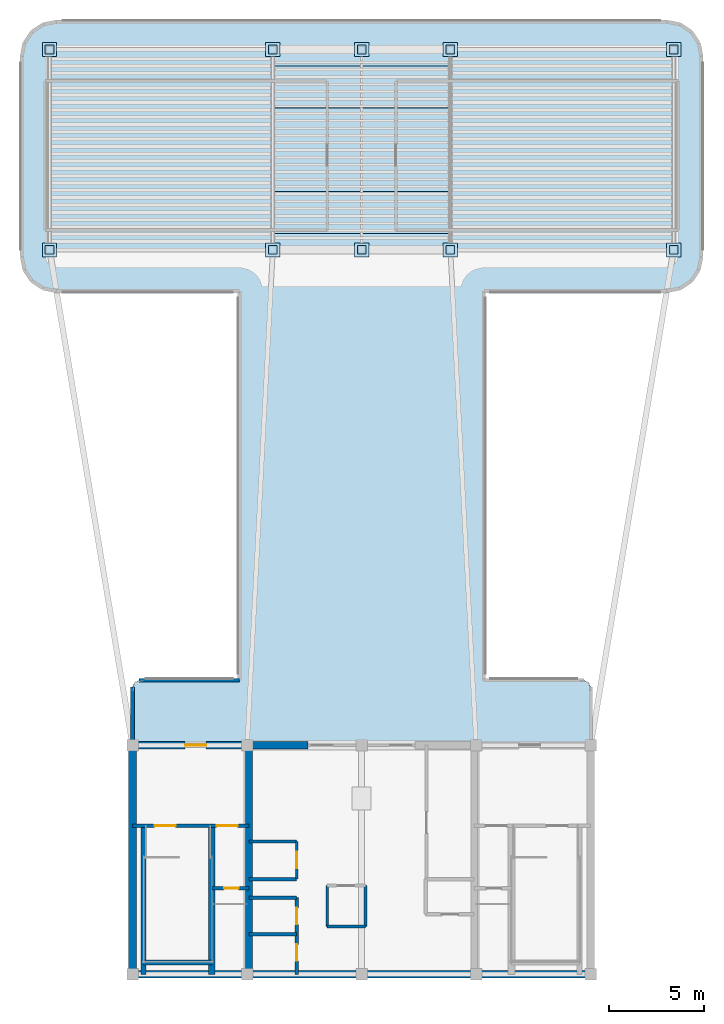
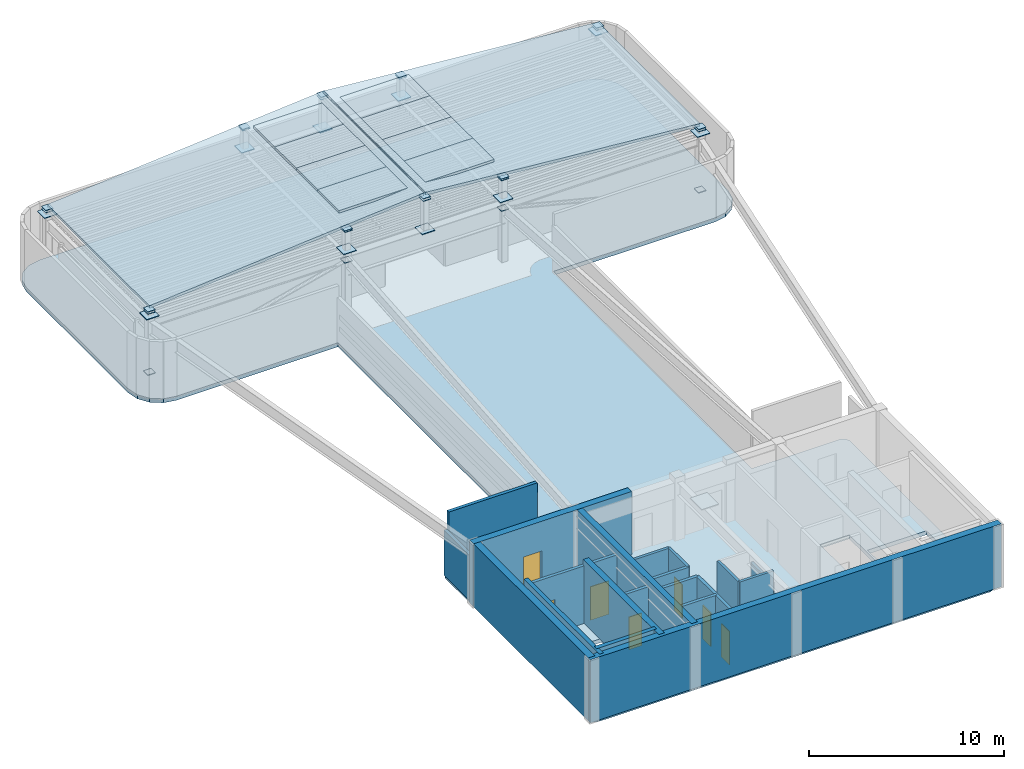
# One storey, part 4 of 7: 42 plates, 20 walls, 7 doors, 3 slabs, 7 openings.
"""IFC4 building model written with IfcOpenShell, lengths in metres."""

from ifc_helpers import new_model, si_unit, direction, frame, frame_2d, origin, origin_2d, place, context, subcontext, project, spatial, polyline, rectangle, outline, extrude, source, transform, mapped, material, layer, layer_set, type_object, element, fill, save


model = new_model("IFC4")

# Units and contexts
model_context = context("Model", 3, precision=1e-05, world=origin(), true_north=direction((0.0, 1.0)))
body_context = subcontext(model_context, "Body", "Model", "MODEL_VIEW")
ifc_project = project(units=[si_unit("LENGTHUNIT", "METRE"), si_unit("AREAUNIT", "SQUARE_METRE"), si_unit("VOLUMEUNIT", "CUBIC_METRE"), si_unit("PLANEANGLEUNIT", "RADIAN"), si_unit("MASSUNIT", "GRAM", prefix="KILO")], contexts=[model_context])

# Site, building, storey
site_placement = place(None, origin())
site = spatial("IfcSite", under=ifc_project, at=site_placement, CompositionType="ELEMENT")
building_placement = place(site_placement, origin())
building = spatial("IfcBuilding", under=site, at=building_placement, Name="Brelvock Crest Care Tower", CompositionType="ELEMENT")
storey_placement = place(building_placement, frame((0.0, 0.0, 315.719970703125)))
storey = spatial("IfcBuildingStorey", under=building, at=storey_placement, Name="L80", CompositionType="ELEMENT", Elevation=315.719970703125)

# Slabs
ifc_material_1 = material(Name="Precast concrete N40 (40 MPa)", Category="concrete")
ifc_layer_1 = layer(ifc_material_1, 0.179931640625, Name="SLB-CN1")
ifc_layer_set_1 = layer_set([ifc_layer_1], Name="Precast concrete N40 (40 MPa)")
slab_type_1 = type_object("IfcSlabType", Name="SLB-CN1", PredefinedType="ROOF", material=ifc_layer_set_1)
for number, where, z_axis, x_axis, name in (
    (1, (19.64990234375, 43.949951171875, 4.5), (-0.084368232562, 0.0, 0.996434644788), (0.996434644788, 0.0, 0.084368232562), "L80 Crown Canopy West Roof"),
    (2, (36.050048828125, 43.949951171875, 5.880126953125), (0.084368232562, 0.0, 0.996434644788), (0.996434644788, 0.0, -0.084368232562), "L80 Crown Canopy East Roof"),
):
    element("IfcSlab", number, at=place(storey_placement, frame(where, z_axis=z_axis, x_axis=x_axis)), inside=storey, type_object=slab_type_1, Name=name, PredefinedType="ROOF", context=body_context, shape_type="SweptSolid", body=[
        extrude(outline(polyline([(0.0, 0.0), (16.358372235830842, 0.0), (16.358372235830842, 10.5), (0.0, 10.5), (0.0, 0.0)])), origin(), (0.0, 0.0, -1.0), 0.179931640625),
    ])
ifc_material_2 = material(Name="Concrete N50 (50 MPa)", Category="concrete")
ifc_layer_2 = layer(ifc_material_2, 0.25, Name="SLB-FL3")
ifc_layer_set_2 = layer_set([ifc_layer_2], Name="Concrete N50 (50 MPa)")
slab_type_2 = type_object("IfcSlabType", Name="SLB-FL3", PredefinedType="FLOOR", material=ifc_layer_set_2)
slab_placement = place(storey_placement, frame((0.0, 0.0, -0.25)))
element("IfcSlab", 3, at=slab_placement, inside=storey, type_object=slab_type_2, Name="L80 Main Structural Slab", PredefinedType="FLOOR", context=body_context, shape_type="SweptSolid", body=[
    extrude(outline(polyline([(42.39990234375, 21.39990234375), (42.39990234375, 41.800048828125), (52.0, 41.800048828125), (52.688720703125, 41.93701171875), (53.272705078125, 42.3271484375), (53.6630859375, 42.9111328125), (53.800048828125, 43.60009765625), (53.800048828125, 54.10009765625), (53.6630859375, 54.788818359375), (53.272705078125, 55.372802734375), (52.688720703125, 55.762939453125), (52.0, 55.89990234375), (20.0, 55.89990234375), (19.311279296875, 55.762939453125), (18.727294921875, 55.372802734375), (18.3369140625, 54.788818359375), (18.199951171875, 54.10009765625), (18.199951171875, 43.60009765625), (18.3369140625, 42.9111328125), (18.727294921875, 42.3271484375), (19.311279296875, 41.93701171875), (20.0, 41.800048828125), (29.60009765625, 41.800048828125), (29.60009765625, 21.39990234375), (24.35009765625, 21.39990234375), (24.1025390625, 21.297607421875), (24.0, 21.050048828125), (24.0, 6.35009765625), (24.1025390625, 6.1025390625), (24.35009765625, 6.0), (47.64990234375, 6.0), (47.8974609375, 6.1025390625), (48.0, 6.35009765625), (48.0, 21.050048828125), (47.8974609375, 21.297607421875), (47.64990234375, 21.39990234375), (42.39990234375, 21.39990234375)]), holes=[polyline([(28.239990234375, 10.580078125), (29.97998046875, 10.580078125), (29.97998046875, 13.739990234375), (28.239990234375, 13.739990234375), (28.239990234375, 10.580078125)]), polyline([(42.02001953125, 10.580078125), (43.760009765625, 10.580078125), (43.760009765625, 13.739990234375), (42.02001953125, 13.739990234375), (42.02001953125, 10.580078125)]), polyline([(28.239990234375, 6.340087890625), (29.97998046875, 6.340087890625), (29.97998046875, 9.64990234375), (28.239990234375, 9.64990234375), (28.239990234375, 6.340087890625)]), polyline([(24.6298828125, 12.080078125), (24.6298828125, 6.699951171875), (28.110107421875, 6.699951171875), (28.110107421875, 12.080078125), (24.6298828125, 12.080078125)]), polyline([(43.889892578125, 12.080078125), (43.889892578125, 6.699951171875), (47.3701171875, 6.699951171875), (47.3701171875, 12.080078125), (43.889892578125, 12.080078125)]), polyline([(42.02001953125, 6.340087890625), (43.760009765625, 6.340087890625), (43.760009765625, 9.64990234375), (42.02001953125, 9.64990234375), (42.02001953125, 6.340087890625)])]), origin(), (0.0, 0.0, 1.0), 0.25),
])

# Plates
ifc_material_3 = material(Name="Steel Grade 350", Category="steel")
plate_type_1 = type_object("IfcPlateType", Name="PLT-EC3", PredefinedType="USERDEFINED", material=ifc_material_3)
shared_shape_1 = source(origin(), body_context, "Body", "SweptSolid", [
    extrude(rectangle(XDim=0.449951171875, YDim=0.449951171875, at=origin_2d()), origin(), (0.0, 0.0, 1.0), 0.02490234375),
])
for number, where, z_axis, x_axis, name in (
    (4, (19.64990234375, 43.949951171875, 0.337646484375), (0.0, 0.0, 1.0), (1.0, 0.0, 0.0), "PLT-CANSTC1-L80-W"),
    (5, (31.35009765625, 43.949951171875, 3.277587890625), (0.0, 0.0, 1.0), (1.0, 0.0, 0.0), "PLT-CANSTC2-L80-W"),
    (6, (52.35009765625, 43.949951171875, 0.337646484375), (0.0, 0.0, 1.0), (1.0, 0.0, 0.0), "PLT-CANSTC1-L80-E"),
    (7, (40.64990234375, 43.949951171875, 3.277587890625), (0.0, 0.0, 1.0), (1.0, 0.0, 0.0), "PLT-CANSTC2-L80-E"),
    (8, (19.64990234375, 43.949951171875, 4.301513671875), (0.0, 0.0, 1.0), (1.0, 0.0, 0.0), "PLT-CBPT-01"),
    (9, (19.64990234375, 54.449951171875, 4.301513671875), (0.0, 0.0, 1.0), (1.0, 0.0, 0.0), "PLT-CBPT-02"),
    (10, (52.35009765625, 43.949951171875, 4.301513671875), (0.0, 0.0, 1.0), (1.0, 0.0, 0.0), "PLT-CBPT-03"),
    (11, (52.35009765625, 54.449951171875, 4.301513671875), (0.0, 0.0, 1.0), (1.0, 0.0, 0.0), "PLT-CBPT-04"),
    (12, (31.35009765625, 43.949951171875, 5.292236328125), (0.0, 0.0, 1.0), (1.0, 0.0, 0.0), "PLT-CBPT-05"),
    (13, (40.64990234375, 43.949951171875, 5.292236328125), (0.0, 0.0, 1.0), (1.0, 0.0, 0.0), "PLT-CBPT-06"),
    (14, (31.35009765625, 54.449951171875, 5.292236328125), (0.0, 0.0, 1.0), (1.0, 0.0, 0.0), "PLT-CBPT-07"),
    (15, (40.64990234375, 54.449951171875, 5.292236328125), (0.0, 0.0, 1.0), (1.0, 0.0, 0.0), "PLT-CBPT-08"),
    (16, (36.0, 43.949951171875, 5.681640625), (0.0, 0.0, 1.0), (1.0, 0.0, 0.0), "PLT-CBPT-09"),
    (17, (36.0, 54.449951171875, 5.681640625), (0.0, 0.0, 1.0), (1.0, 0.0, 0.0), "PLT-CBPT-10"),
    (18, (19.64990234375, 43.949951171875, 4.16162109375), (0.0, 0.0, 1.0), (1.0, 0.0, 0.0), "PLT-CAP-PURL-01"),
    (19, (19.64990234375, 54.449951171875, 4.16162109375), (0.0, 0.0, 1.0), (1.0, 0.0, 0.0), "PLT-CAP-PURLE-01"),
    (20, (31.35009765625, 43.949951171875, 5.2021484375), (0.0, 0.0, 1.0), (1.0, 0.0, 0.0), "PLT-CAP-PURL-02"),
    (21, (31.35009765625, 54.449951171875, 5.2021484375), (0.0, 0.0, 1.0), (1.0, 0.0, 0.0), "PLT-CAP-PURLE-02"),
    (22, (36.0, 43.949951171875, 5.527587890625), (0.0, 0.0, 1.0), (1.0, 0.0, 0.0), "PLT-CAP-PURL-03"),
    (23, (36.0, 54.449951171875, 5.527587890625), (0.0, 0.0, 1.0), (1.0, 0.0, 0.0), "PLT-CAP-PURLE-03"),
    (24, (40.64990234375, 43.949951171875, 5.193115234375), (0.0, 0.0, 1.0), (1.0, 0.0, 0.0), "PLT-CAP-PURL-04"),
    (25, (40.64990234375, 54.449951171875, 5.193115234375), (0.0, 0.0, 1.0), (1.0, 0.0, 0.0), "PLT-CAP-PURLE-04"),
    (26, (52.35009765625, 43.949951171875, 4.16162109375), (0.0, 0.0, 1.0), (1.0, 0.0, 0.0), "PLT-CAP-PURL-05"),
    (27, (52.35009765625, 54.449951171875, 4.16162109375), (0.0, 0.0, 1.0), (1.0, 0.0, 0.0), "PLT-CAP-PURLE-05"),
):
    element("IfcPlate", number, at=place(storey_placement, frame(where, z_axis=z_axis, x_axis=x_axis)), inside=storey, type_object=plate_type_1, Name=name, ObjectType="FLANGE_PLATE", PredefinedType="USERDEFINED", context=body_context, shape_type="MappedRepresentation", body=[
        mapped(shared_shape_1, transform((0.0, 0.0, 0.0), x_axis=(1.0, 0.0, 0.0), y_axis=(0.0, 1.0, 0.0), z_axis=(0.0, 0.0, 1.0), scale=1.0)),
    ])
plate_type_2 = type_object("IfcPlateType", Name="PLT-CBP1", PredefinedType="USERDEFINED", material=ifc_material_3)
shared_shape_2 = source(origin(), body_context, "Body", "SweptSolid", [
    extrude(rectangle(XDim=0.75, YDim=0.75, at=origin_2d()), origin(), (0.0, 0.0, 1.0), 0.0400390625),
])
for number, where, z_axis, x_axis, name in (
    (28, (19.64990234375, 43.949951171875, 3.949951171875), (0.0, 0.0, 1.0), (1.0, 0.0, 0.0), "PLT-CBP-01"),
    (29, (19.64990234375, 54.449951171875, 3.949951171875), (0.0, 0.0, 1.0), (1.0, 0.0, 0.0), "PLT-CBP-02"),
    (30, (52.35009765625, 43.949951171875, 3.949951171875), (0.0, 0.0, 1.0), (1.0, 0.0, 0.0), "PLT-CBP-03"),
    (31, (52.35009765625, 54.449951171875, 3.949951171875), (0.0, 0.0, 1.0), (1.0, 0.0, 0.0), "PLT-CBP-04"),
    (32, (31.35009765625, 43.949951171875, 3.949951171875), (0.0, 0.0, 1.0), (1.0, 0.0, 0.0), "PLT-CBP-05"),
    (33, (40.64990234375, 43.949951171875, 3.949951171875), (0.0, 0.0, 1.0), (1.0, 0.0, 0.0), "PLT-CBP-06"),
    (34, (31.35009765625, 54.449951171875, 3.949951171875), (0.0, 0.0, 1.0), (1.0, 0.0, 0.0), "PLT-CBP-07"),
    (35, (40.64990234375, 54.449951171875, 3.949951171875), (0.0, 0.0, 1.0), (1.0, 0.0, 0.0), "PLT-CBP-08"),
    (36, (36.0, 43.949951171875, 3.580078125), (0.0, 0.0, 1.0), (1.0, 0.0, 0.0), "PLT-CBP-09"),
    (37, (36.0, 54.449951171875, 3.580078125), (0.0, 0.0, 1.0), (1.0, 0.0, 0.0), "PLT-CBP-10"),
):
    element("IfcPlate", number, at=place(storey_placement, frame(where, z_axis=z_axis, x_axis=x_axis)), inside=storey, type_object=plate_type_2, Name=name, ObjectType="FLANGE_PLATE", PredefinedType="USERDEFINED", context=body_context, shape_type="MappedRepresentation", body=[
        mapped(shared_shape_2, transform((0.0, 0.0, 0.0), x_axis=(1.0, 0.0, 0.0), y_axis=(0.0, 1.0, 0.0), z_axis=(0.0, 0.0, 1.0), scale=1.0)),
    ])
ifc_material_4 = material(Name="Dark Glass Double Glazed Low-E", Category="glass")
plate_type_3 = type_object("IfcPlateType", Name="PLT-SKY1", PredefinedType="USERDEFINED", material=ifc_material_4)
shared_shape_3 = source(origin(), body_context, "Body", "SweptSolid", [
    extrude(rectangle(XDim=4.60009765625, YDim=2.199951171875, at=origin_2d()), origin(), (0.0, 0.0, 1.0), 0.159912109375),
])
for number, where, z_axis, x_axis, name in (
    (38, (33.699951171875, 45.89990234375, 5.68017578125), (0.0, 0.0, 1.0), (1.0, 0.0, 0.0), "L80 Canopy Skylight Panel W1"),
    (39, (38.300048828125, 45.89990234375, 5.68017578125), (0.0, 0.0, 1.0), (1.0, 0.0, 0.0), "L80 Canopy Skylight Panel E1"),
    (40, (33.699951171875, 48.10009765625, 5.68017578125), (0.0, 0.0, 1.0), (1.0, 0.0, 0.0), "L80 Canopy Skylight Panel W2"),
    (41, (38.300048828125, 48.10009765625, 5.68017578125), (0.0, 0.0, 1.0), (1.0, 0.0, 0.0), "L80 Canopy Skylight Panel E2"),
    (42, (33.699951171875, 50.300048828125, 5.68017578125), (0.0, 0.0, 1.0), (1.0, 0.0, 0.0), "L80 Canopy Skylight Panel W3"),
    (43, (38.300048828125, 50.300048828125, 5.68017578125), (0.0, 0.0, 1.0), (1.0, 0.0, 0.0), "L80 Canopy Skylight Panel E3"),
    (44, (33.699951171875, 52.5, 5.68017578125), (0.0, 0.0, 1.0), (1.0, 0.0, 0.0), "L80 Canopy Skylight Panel W4"),
    (45, (38.300048828125, 52.5, 5.68017578125), (0.0, 0.0, 1.0), (1.0, 0.0, 0.0), "L80 Canopy Skylight Panel E4"),
):
    element("IfcPlate", number, at=place(storey_placement, frame(where, z_axis=z_axis, x_axis=x_axis)), inside=storey, type_object=plate_type_3, Name=name, ObjectType="SKYLIGHT", PredefinedType="USERDEFINED", context=body_context, shape_type="MappedRepresentation", body=[
        mapped(shared_shape_3, transform((0.0, 0.0, 0.0), x_axis=(1.0, 0.0, 0.0), y_axis=(0.0, 1.0, 0.0), z_axis=(0.0, 0.0, 1.0), scale=1.0)),
    ])

# Walls
ifc_material_5 = material(Name="Concrete S65 (65 MPa)", Category="concrete")
ifc_layer_3 = layer(ifc_material_5, 0.39990234375, Name="WL-CS4")
ifc_layer_set_3 = layer_set([ifc_layer_3], Name="Concrete S65 (65 MPa)")
wall_type_1 = type_object("IfcWallType", Name="WL-CS4", PredefinedType="SHEAR", material=ifc_layer_set_3)
wall_1_placement = place(storey_placement, frame((48.199951171875, 6.0, 0.0), z_axis=(0.0, 0.0, 1.0), x_axis=(-1.0, 0.0, 0.0)))
element("IfcWall", 46, at=wall_1_placement, inside=storey, type_object=wall_type_1, Name="L80 Core South Shear Wall", PredefinedType="SHEAR", context=body_context, shape_type="SweptSolid", body=[
    extrude(rectangle(XDim=24.39990234375, YDim=0.39990234375, at=frame_2d((12.199951171875, 0.0))), origin(), (0.0, 0.0, 1.0), 3.9599609375),
])
wall_2_placement = place(storey_placement, frame((24.0, 6.0, 0.0), z_axis=(0.0, 0.0, 1.0), x_axis=(0.0, 1.0, 0.0)))
element("IfcWall", 47, at=wall_2_placement, inside=storey, type_object=wall_type_1, Name="L80 Core West Shear Wall", PredefinedType="SHEAR", context=body_context, shape_type="SweptSolid", body=[
    extrude(rectangle(XDim=12.0, YDim=0.39990234375, at=frame_2d((6.0, 0.0))), origin(), (0.0, 0.0, 1.0), 3.9599609375),
])

# Wall, opening, door
wall_3_placement = place(storey_placement, frame((23.800048828125, 18.0, 0.0), z_axis=(0.0, 0.0, 1.0), x_axis=(1.0, 0.0, 0.0)))
wall_3 = element("IfcWall", 48, at=wall_3_placement, inside=storey, type_object=wall_type_1, Name="L80 Core North-West Shear Wall", PredefinedType="SHEAR", context=body_context, shape_type="SweptSolid", body=[
    extrude(rectangle(XDim=9.39990234375, YDim=0.39990234375, at=frame_2d((4.699951171875, 0.0))), origin(), (0.0, 0.0, 1.0), 3.9599609375),
])
opening_1_placement = place(wall_3_placement, frame((2.949951171875, 0.0, 0.0)))
opening_1 = element("IfcOpeningElement", 49, at=opening_1_placement, cuts=wall_3, Name="Opening FD-1", PredefinedType="OPENING", context=body_context, shape_type="SweptSolid", body=[
    extrude(rectangle(XDim=1.10009765625, YDim=2.10009765625, at=origin_2d()), frame((0.550048828125, 0.2099609375, 1.050048828125), z_axis=(0.0, -1.0, 0.0), x_axis=(1.0, 0.0, 0.0)), (0.0, 0.0, 1.0), 0.419921875),
])
door_type_1 = type_object("IfcDoorType", Name="DR-FFL1", OperationType="NOTDEFINED", PredefinedType="DOOR", material=ifc_material_3)
shared_shape_4 = source(origin(), body_context, "Body", "SweptSolid", [
    extrude(rectangle(XDim=1.10009765625, YDim=2.10009765625, at=origin_2d()), frame((0.550048828125, 0.02490234375, 1.050048828125), z_axis=(0.0, -1.0, 0.0), x_axis=(1.0, 0.0, 0.0)), (0.0, 0.0, 1.0), 0.050048828125),
])
door_1_placement = place(opening_1_placement, origin())
door_1 = element("IfcDoor", 50, at=door_1_placement, inside=storey, type_object=door_type_1, Name="L80 Firefighting Lobby FFL-1 Exit Door", OperationType="SINGLE_SWING_LEFT", OverallHeight=2.10009765625, OverallWidth=1.10009765625, PredefinedType="DOOR", context=body_context, shape_type="MappedRepresentation", body=[
    mapped(shared_shape_4, transform((0.0, 0.0, 0.0), x_axis=(1.0, 0.0, 0.0), y_axis=(0.0, 1.0, 0.0), z_axis=(0.0, 0.0, 1.0), scale=1.0)),
])
fill(opening_1, door_1)

# Walls
ifc_material_6 = material(Name="Concrete S80 (80 MPa)", Category="concrete")
ifc_layer_4 = layer(ifc_material_6, 0.35009765625, Name="WL-CS5")
ifc_layer_set_4 = layer_set([ifc_layer_4], Name="Concrete S80 (80 MPa)")
wall_type_2 = type_object("IfcWallType", Name="WL-CS5", PredefinedType="SHEAR", material=ifc_layer_set_4)
wall_4_placement = place(storey_placement, frame((30.10009765625, 6.0, 0.0), z_axis=(0.0, 0.0, 1.0), x_axis=(0.0, 1.0, 0.0)))
element("IfcWall", 51, at=wall_4_placement, inside=storey, type_object=wall_type_2, Name="L80 Core Internal Web Wall West", PredefinedType="SHEAR", context=body_context, shape_type="SweptSolid", body=[
    extrude(rectangle(XDim=12.0, YDim=0.35009765625, at=frame_2d((6.0, 0.0))), origin(), (0.0, 0.0, 1.0), 3.9599609375),
])
wall_5_placement = place(storey_placement, frame((28.14990234375, 6.0, 0.0), z_axis=(0.0, 0.0, 1.0), x_axis=(0.0, 1.0, 0.0)))
element("IfcWall", 52, at=wall_5_placement, inside=storey, type_object=wall_type_2, Name="L80 Core Stair ST-1 East Shear Wall", PredefinedType="SHEAR", context=body_context, shape_type="SweptSolid", body=[
    extrude(rectangle(XDim=7.780029296875, YDim=0.35009765625, at=frame_2d((3.89013671875, 0.0))), origin(), (0.0, 0.0, 1.0), 3.9599609375),
])
ifc_layer_5 = layer(ifc_material_6, 0.25, Name="WL-CS6")
ifc_layer_set_5 = layer_set([ifc_layer_5], Name="Concrete S80 (80 MPa)")
wall_type_3 = type_object("IfcWallType", Name="WL-CS6", PredefinedType="SHEAR", material=ifc_layer_set_5)
wall_6_placement = place(storey_placement, frame((24.580078125, 6.0, 0.0), z_axis=(0.0, 0.0, 1.0), x_axis=(0.0, 1.0, 0.0)))
element("IfcWall", 53, at=wall_6_placement, inside=storey, type_object=wall_type_3, Name="L80 Core Stair ST-1 West Shear Wall", PredefinedType="SHEAR", context=body_context, shape_type="SweptSolid", body=[
    extrude(rectangle(XDim=7.780029296875, YDim=0.25, at=frame_2d((3.89013671875, 0.0))), origin(), (0.0, 0.0, 1.0), 3.9599609375),
])
wall_7_placement = place(storey_placement, frame((24.580078125, 6.6201171875, 0.0), z_axis=(0.0, 0.0, 1.0), x_axis=(1.0, 0.0, 0.0)))
element("IfcWall", 54, at=wall_7_placement, inside=storey, type_object=wall_type_3, Name="L80 Core Stair ST-1 South Shear Wall", PredefinedType="SHEAR", context=body_context, shape_type="SweptSolid", body=[
    extrude(rectangle(XDim=3.56982421875, YDim=0.25, at=frame_2d((1.784912109375, 0.0))), origin(), (0.0, 0.0, 1.0), 3.9599609375),
])
ifc_layer_6 = layer(ifc_material_1, 0.195068359375, Name="WL-EX3")
ifc_layer_set_6 = layer_set([ifc_layer_6], Name="Precast concrete N40 (40 MPa)")
wall_type_4 = type_object("IfcWallType", Name="WL-EX3", PredefinedType="SOLIDWALL", material=ifc_layer_set_6)
wall_8_placement = place(storey_placement, frame((24.0, 18.280029296875, 0.0), z_axis=(0.0, 0.0, 1.0), x_axis=(0.0, 1.0, 0.0)))
element("IfcWall", 55, at=wall_8_placement, inside=storey, type_object=wall_type_4, Name="L80 Crown and Plant Cladding Wall 08", PredefinedType="SOLIDWALL", context=body_context, shape_type="SweptSolid", body=[
    extrude(rectangle(XDim=2.77001953125, YDim=0.195068359375, at=frame_2d((1.385009765625, 0.0))), origin(), (0.0, 0.0, 1.0), 2.828125),
])
wall_9_placement = place(storey_placement, frame((24.35009765625, 21.39990234375, 0.0), z_axis=(0.0, 0.0, 1.0), x_axis=(1.0, 0.0, 0.0)))
element("IfcWall", 56, at=wall_9_placement, inside=storey, type_object=wall_type_4, Name="L80 Crown and Plant Cladding Wall 11", PredefinedType="SOLIDWALL", context=body_context, shape_type="SweptSolid", body=[
    extrude(rectangle(XDim=5.25, YDim=0.195068359375, at=frame_2d((2.625, 0.0))), origin(), (0.0, 0.0, 1.0), 3.64013671875),
])
ifc_material_7 = material(Name="Masonry Blockwork Acoustic Partition", Category="masonry")
ifc_layer_7 = layer(ifc_material_7, 0.14990234375, Name="WL-INT1")
ifc_layer_set_7 = layer_set([ifc_layer_7], Name="Masonry Blockwork Acoustic Partition")
wall_type_5 = type_object("IfcWallType", Name="WL-INT1", PredefinedType="PARTITIONING", material=ifc_layer_set_7)
wall_10_placement = place(storey_placement, frame((30.10009765625, 12.949951171875, 0.0), z_axis=(0.0, 0.0, 1.0), x_axis=(1.0, 0.0, 0.0)))
element("IfcWall", 57, at=wall_10_placement, inside=storey, type_object=wall_type_5, Name="L80 Interior Wall WL-CRCL-N2-L80", PredefinedType="PARTITIONING", context=body_context, shape_type="SweptSolid", body=[
    extrude(rectangle(XDim=2.5, YDim=0.14990234375, at=frame_2d((1.25, 0.0))), origin(), (0.0, 0.0, 1.0), 3.610107421875),
])

# Wall, opening, door
wall_11_placement = place(storey_placement, frame((32.60009765625, 11.0, 0.0), z_axis=(0.0, 0.0, 1.0), x_axis=(0.0, 1.0, 0.0)))
wall_11 = element("IfcWall", 58, at=wall_11_placement, inside=storey, type_object=wall_type_5, Name="L80 Interior Wall WL-CRCL-E-L80", PredefinedType="PARTITIONING", context=body_context, shape_type="SweptSolid", body=[
    extrude(rectangle(XDim=1.949951171875, YDim=0.14990234375, at=frame_2d((0.97509765625, 0.0))), origin(), (0.0, 0.0, 1.0), 3.610107421875),
])
opening_2_placement = place(wall_11_placement, frame((0.550048828125, 0.0, 0.0)))
opening_2 = element("IfcOpeningElement", 59, at=opening_2_placement, cuts=wall_11, Name="Opening ID-1", PredefinedType="OPENING", context=body_context, shape_type="SweptSolid", body=[
    extrude(rectangle(XDim=0.860107421875, YDim=2.10009765625, at=origin_2d()), frame((0.43017578125, 0.0849609375, 1.050048828125), z_axis=(0.0, -1.0, 0.0), x_axis=(1.0, 0.0, 0.0)), (0.0, 0.0, 1.0), 0.169921875),
])
ifc_material_8 = material(Name="Engineered Hardwood Timber", Category="wood")
door_type_2 = type_object("IfcDoorType", Name="DR-INT1", OperationType="NOTDEFINED", PredefinedType="DOOR", material=ifc_material_8)
shared_shape_5 = source(origin(), body_context, "Body", "SweptSolid", [
    extrude(rectangle(XDim=0.860107421875, YDim=2.10009765625, at=origin_2d()), frame((0.43017578125, 0.02490234375, 1.050048828125), z_axis=(0.0, -1.0, 0.0), x_axis=(1.0, 0.0, 0.0)), (0.0, 0.0, 1.0), 0.050048828125),
])
door_2_placement = place(opening_2_placement, origin())
door_2 = element("IfcDoor", 60, at=door_2_placement, inside=storey, type_object=door_type_2, Name="DR-CRCL1-L80", OperationType="SINGLE_SWING_LEFT", OverallHeight=2.10009765625, OverallWidth=0.860107421875, PredefinedType="DOOR", context=body_context, shape_type="MappedRepresentation", body=[
    mapped(shared_shape_5, transform((0.0, 0.0, 0.0), x_axis=(1.0, 0.0, 0.0), y_axis=(0.0, 1.0, 0.0), z_axis=(0.0, 0.0, 1.0), scale=1.0)),
])
fill(opening_2, door_2)

# Walls
wall_12_placement = place(storey_placement, frame((34.199951171875, 8.5, 0.0), z_axis=(0.0, 0.0, 1.0), x_axis=(1.0, 0.0, 0.0)))
element("IfcWall", 61, at=wall_12_placement, inside=storey, type_object=wall_type_5, Name="L80 Interior Wall WL-CRCM-S-L80", PredefinedType="PARTITIONING", context=body_context, shape_type="SweptSolid", body=[
    extrude(rectangle(XDim=2.0, YDim=0.14990234375, at=frame_2d((1.0, 0.0))), origin(), (0.0, 0.0, 1.0), 3.610107421875),
])
wall_13_placement = place(storey_placement, frame((34.199951171875, 8.5, 0.0), z_axis=(0.0, 0.0, 1.0), x_axis=(0.0, 1.0, 0.0)))
element("IfcWall", 62, at=wall_13_placement, inside=storey, type_object=wall_type_5, Name="L80 Interior Wall WL-CRCM-W-L80", PredefinedType="PARTITIONING", context=body_context, shape_type="SweptSolid", body=[
    extrude(rectangle(XDim=2.14990234375, YDim=0.14990234375, at=frame_2d((1.074951171875, 0.0))), origin(), (0.0, 0.0, 1.0), 3.610107421875),
])
wall_14_placement = place(storey_placement, frame((36.199951171875, 8.5, 0.0), z_axis=(0.0, 0.0, 1.0), x_axis=(0.0, 1.0, 0.0)))
element("IfcWall", 63, at=wall_14_placement, inside=storey, type_object=wall_type_5, Name="L80 Interior Wall WL-CRCM-E-L80", PredefinedType="PARTITIONING", context=body_context, shape_type="SweptSolid", body=[
    extrude(rectangle(XDim=2.14990234375, YDim=0.14990234375, at=frame_2d((1.074951171875, 0.0))), origin(), (0.0, 0.0, 1.0), 2.824951171875),
])
ifc_layer_8 = layer(ifc_material_7, 0.179931640625, Name="WL-SHF1")
ifc_layer_set_8 = layer_set([ifc_layer_8], Name="Masonry Blockwork Acoustic Partition")
wall_type_6 = type_object("IfcWallType", Name="WL-SHF1", PredefinedType="PARTITIONING", material=ifc_layer_set_8)
for number, where, z_axis, x_axis, name in (
    (64, (30.10009765625, 10.97998046875, 0.0), (0.0, 0.0, 1.0), (1.0, 0.0, 0.0), "L80 Interior Wall WL-CSBW-N-L80"),
    (65, (30.10009765625, 8.10009765625, 0.0), (0.0, 0.0, 1.0), (1.0, 0.0, 0.0), "L80 Interior Wall WL-CSBW-SP-L80"),
    (66, (30.10009765625, 10.02001953125, 0.0), (0.0, 0.0, 1.0), (1.0, 0.0, 0.0), "L80 Interior Wall WL-CSBW-N2-L80"),
):
    element("IfcWall", number, at=place(storey_placement, frame(where, z_axis=z_axis, x_axis=x_axis)), inside=storey, type_object=wall_type_6, Name=name, PredefinedType="PARTITIONING", context=body_context, shape_type="SweptSolid", body=[
        extrude(rectangle(XDim=2.5, YDim=0.179931640625, at=frame_2d((1.25, 0.0))), origin(), (0.0, 0.0, 1.0), 3.610107421875),
    ])

# Wall, openings, doors
wall_15_placement = place(storey_placement, frame((32.60009765625, 6.0, 0.0), z_axis=(0.0, 0.0, 1.0), x_axis=(0.0, 1.0, 0.0)))
wall_15 = element("IfcWall", 67, at=wall_15_placement, inside=storey, type_object=wall_type_6, Name="L80 Interior Wall WL-CSBW-E-L80", PredefinedType="PARTITIONING", context=body_context, shape_type="SweptSolid", body=[
    extrude(rectangle(XDim=4.02001953125, YDim=0.179931640625, at=frame_2d((2.010009765625, 0.0))), origin(), (0.0, 0.0, 1.0), 3.610107421875),
])
opening_3_placement = place(wall_15_placement, frame((0.699951171875, 0.0, 0.0)))
opening_3 = element("IfcOpeningElement", 68, at=opening_3_placement, cuts=wall_15, Name="Opening ID-1", PredefinedType="OPENING", context=body_context, shape_type="SweptSolid", body=[
    extrude(rectangle(XDim=0.860107421875, YDim=2.10009765625, at=origin_2d()), frame((0.43017578125, 0.10009765625, 1.050048828125), z_axis=(0.0, -1.0, 0.0), x_axis=(1.0, 0.0, 0.0)), (0.0, 0.0, 1.0), 0.199951171875),
])
opening_4_placement = place(wall_15_placement, frame((2.6201171875, 0.0, 0.0)))
opening_4 = element("IfcOpeningElement", 69, at=opening_4_placement, cuts=wall_15, Name="Opening ID-1", PredefinedType="OPENING", context=body_context, shape_type="SweptSolid", body=[
    extrude(rectangle(XDim=0.860107421875, YDim=2.10009765625, at=origin_2d()), frame((0.43017578125, 0.10009765625, 1.050048828125), z_axis=(0.0, -1.0, 0.0), x_axis=(1.0, 0.0, 0.0)), (0.0, 0.0, 1.0), 0.199951171875),
])
door_3_placement = place(opening_3_placement, origin())
door_3 = element("IfcDoor", 70, at=door_3_placement, inside=storey, type_object=door_type_2, Name="DR-CSBW1-L80", OperationType="SINGLE_SWING_LEFT", OverallHeight=2.10009765625, OverallWidth=0.860107421875, PredefinedType="DOOR", context=body_context, shape_type="MappedRepresentation", body=[
    mapped(shared_shape_5, transform((0.0, 0.0, 0.0), x_axis=(1.0, 0.0, 0.0), y_axis=(0.0, 1.0, 0.0), z_axis=(0.0, 0.0, 1.0), scale=1.0)),
])
fill(opening_3, door_3)
door_4_placement = place(opening_4_placement, origin())
door_4 = element("IfcDoor", 71, at=door_4_placement, inside=storey, type_object=door_type_2, Name="DR-CSBW2-L80", OperationType="SINGLE_SWING_RIGHT", OverallHeight=2.10009765625, OverallWidth=0.860107421875, PredefinedType="DOOR", context=body_context, shape_type="MappedRepresentation", body=[
    mapped(shared_shape_5, transform((0.0, 0.0, 0.0), x_axis=(1.0, 0.0, 0.0), y_axis=(0.0, 1.0, 0.0), z_axis=(0.0, 0.0, 1.0), scale=1.0)),
])
fill(opening_4, door_4)

wall_16_placement = place(storey_placement, frame((24.0, 13.780029296875, 0.0), z_axis=(0.0, 0.0, 1.0), x_axis=(1.0, 0.0, 0.0)))
wall_16 = element("IfcWall", 72, at=wall_16_placement, inside=storey, type_object=wall_type_6, Name="L80 Interior Wall WL-ST1-N-L80", PredefinedType="PARTITIONING", context=body_context, shape_type="SweptSolid", body=[
    extrude(rectangle(XDim=6.10009765625, YDim=0.179931640625, at=frame_2d((3.050048828125, 0.0))), origin(), (0.0, 0.0, 1.0), 3.610107421875),
])
opening_5_placement = place(wall_16_placement, frame((1.14990234375, 0.0, 0.0)))
opening_5 = element("IfcOpeningElement", 73, at=opening_5_placement, cuts=wall_16, Name="Opening SD-1", PredefinedType="OPENING", context=body_context, shape_type="SweptSolid", body=[
    extrude(rectangle(XDim=1.10009765625, YDim=2.10009765625, at=origin_2d()), frame((0.550048828125, 0.10009765625, 1.050048828125), z_axis=(0.0, -1.0, 0.0), x_axis=(1.0, 0.0, 0.0)), (0.0, 0.0, 1.0), 0.199951171875),
])
opening_6_placement = place(wall_16_placement, frame((4.39990234375, 0.0, 0.0)))
opening_6 = element("IfcOpeningElement", 74, at=opening_6_placement, cuts=wall_16, Name="Opening LD", PredefinedType="OPENING", context=body_context, shape_type="SweptSolid", body=[
    extrude(rectangle(XDim=1.10009765625, YDim=2.10009765625, at=origin_2d()), frame((0.550048828125, 0.10009765625, 1.050048828125), z_axis=(0.0, -1.0, 0.0), x_axis=(1.0, 0.0, 0.0)), (0.0, 0.0, 1.0), 0.199951171875),
])
door_type_3 = type_object("IfcDoorType", Name="DR-ST1", OperationType="NOTDEFINED", PredefinedType="DOOR", material=ifc_material_3)
shared_shape_6 = source(origin(), body_context, "Body", "SweptSolid", [
    extrude(rectangle(XDim=1.10009765625, YDim=2.10009765625, at=origin_2d()), frame((0.550048828125, 0.02490234375, 1.050048828125), z_axis=(0.0, -1.0, 0.0), x_axis=(1.0, 0.0, 0.0)), (0.0, 0.0, 1.0), 0.050048828125),
])
door_5_placement = place(opening_5_placement, origin())
door_5 = element("IfcDoor", 75, at=door_5_placement, inside=storey, type_object=door_type_3, Name="L80 Fire Stair ST-1 Door", OperationType="SINGLE_SWING_LEFT", OverallHeight=2.10009765625, OverallWidth=1.10009765625, PredefinedType="DOOR", context=body_context, shape_type="MappedRepresentation", body=[
    mapped(shared_shape_6, transform((0.0, 0.0, 0.0), x_axis=(1.0, 0.0, 0.0), y_axis=(0.0, 1.0, 0.0), z_axis=(0.0, 0.0, 1.0), scale=1.0)),
])
fill(opening_5, door_5)
door_type_4 = type_object("IfcDoorType", Name="DR-LD1", OperationType="NOTDEFINED", PredefinedType="DOOR", material=ifc_material_3)
shared_shape_7 = source(origin(), body_context, "Body", "SweptSolid", [
    extrude(rectangle(XDim=1.10009765625, YDim=2.10009765625, at=origin_2d()), frame((0.550048828125, 0.02490234375, 1.050048828125), z_axis=(0.0, -1.0, 0.0), x_axis=(1.0, 0.0, 0.0)), (0.0, 0.0, 1.0), 0.050048828125),
])
door_6_placement = place(opening_6_placement, origin())
door_6 = element("IfcDoor", 76, at=door_6_placement, inside=storey, type_object=door_type_4, Name="L80 Firefighting Lift FFL-1 Landing Door", OperationType="SLIDING_TO_LEFT", OverallHeight=2.10009765625, OverallWidth=1.10009765625, PredefinedType="DOOR", context=body_context, shape_type="MappedRepresentation", body=[
    mapped(shared_shape_7, transform((0.0, 0.0, 0.0), x_axis=(1.0, 0.0, 0.0), y_axis=(0.0, 1.0, 0.0), z_axis=(0.0, 0.0, 1.0), scale=1.0)),
])
fill(opening_6, door_6)

# Wall, opening, door
wall_17_placement = place(storey_placement, frame((28.14990234375, 10.5, 0.0), z_axis=(0.0, 0.0, 1.0), x_axis=(1.0, 0.0, 0.0)))
wall_17 = element("IfcWall", 77, at=wall_17_placement, inside=storey, type_object=wall_type_6, Name="L80 Interior Wall WL-FFH1-S-L80", PredefinedType="PARTITIONING", context=body_context, shape_type="SweptSolid", body=[
    extrude(rectangle(XDim=1.9501953125, YDim=0.179931640625, at=frame_2d((0.97509765625, 0.0))), origin(), (0.0, 0.0, 1.0), 3.610107421875),
])
opening_7_placement = place(wall_17_placement, frame((0.64990234375, 0.0, 0.0)))
opening_7 = element("IfcOpeningElement", 78, at=opening_7_placement, cuts=wall_17, Name="Opening RD-1", PredefinedType="OPENING", context=body_context, shape_type="SweptSolid", body=[
    extrude(rectangle(XDim=0.760009765625, YDim=2.050048828125, at=origin_2d()), frame((0.3798828125, 0.10009765625, 1.02490234375), z_axis=(0.0, -1.0, 0.0), x_axis=(1.0, 0.0, 0.0)), (0.0, 0.0, 1.0), 0.199951171875),
])
door_type_5 = type_object("IfcDoorType", Name="DR-RIS1", OperationType="NOTDEFINED", PredefinedType="DOOR", material=ifc_material_3)
shared_shape_8 = source(origin(), body_context, "Body", "SweptSolid", [
    extrude(rectangle(XDim=0.760009765625, YDim=2.050048828125, at=origin_2d()), frame((0.3798828125, 0.02490234375, 1.02490234375), z_axis=(0.0, -1.0, 0.0), x_axis=(1.0, 0.0, 0.0)), (0.0, 0.0, 1.0), 0.050048828125),
])
door_7_placement = place(opening_7_placement, origin())
door_7 = element("IfcDoor", 79, at=door_7_placement, inside=storey, type_object=door_type_5, Name="L80 Wet Fire Riser Access Door", OperationType="SINGLE_SWING_LEFT", OverallHeight=2.050048828125, OverallWidth=0.760009765625, PredefinedType="DOOR", context=body_context, shape_type="MappedRepresentation", body=[
    mapped(shared_shape_8, transform((0.0, 0.0, 0.0), x_axis=(1.0, 0.0, 0.0), y_axis=(0.0, 1.0, 0.0), z_axis=(0.0, 0.0, 1.0), scale=1.0)),
])
fill(opening_7, door_7)

save(model, "model.ifc")
